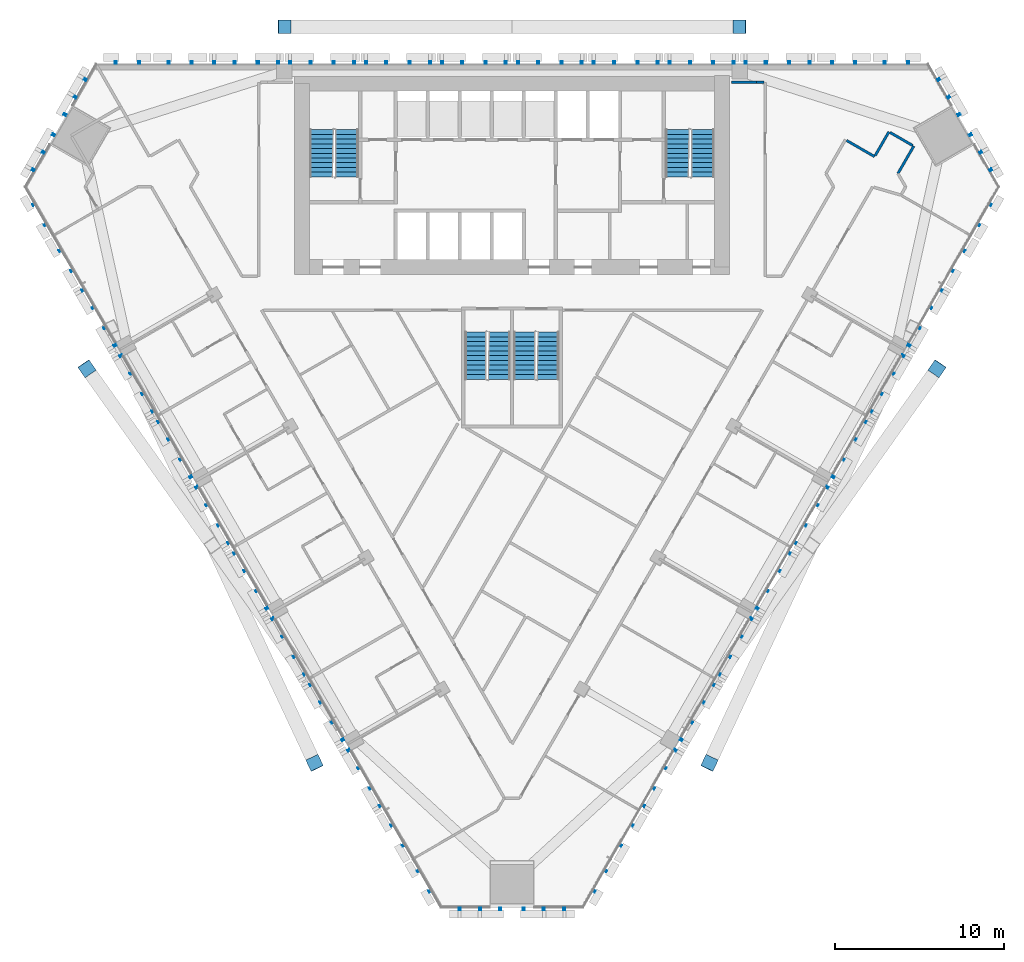
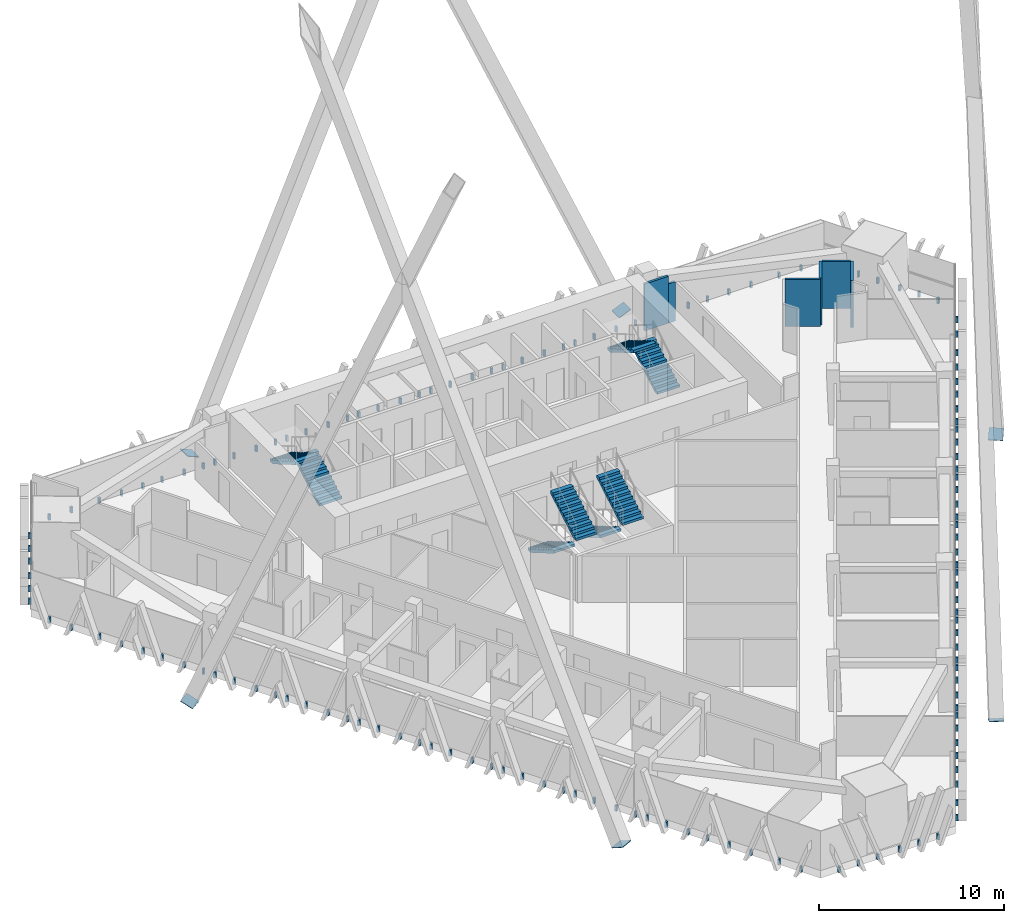
# One storey, part 20 of 23: 12 discrete accessories, 8 stair flights, 6 walls, 4 elements without a shape of their own.
"""IFC4 building model written with IfcOpenShell, lengths in metres."""

from ifc_helpers import new_model, si_unit, direction, frame, frame_2d, origin, origin_2d, place, context, subcontext, project, spatial, polyline, rectangle, outline, extrude, source, transform, mapped, material, layer, layer_set, material_profile, profile_set, type_object, element, aggregate, save


model = new_model("IFC4")

# Units and contexts
model_context = context("Model", 3, precision=1e-05, world=origin(), true_north=direction((0.0, 1.0)))
body_context = subcontext(model_context, "Body", "Model", "MODEL_VIEW")
ifc_project = project(units=[si_unit("LENGTHUNIT", "METRE"), si_unit("AREAUNIT", "SQUARE_METRE"), si_unit("VOLUMEUNIT", "CUBIC_METRE"), si_unit("PLANEANGLEUNIT", "RADIAN"), si_unit("MASSUNIT", "GRAM", prefix="KILO")], contexts=[model_context])

# Site, building, storey
site_placement = place(None, origin())
site = spatial("IfcSite", under=ifc_project, at=site_placement, CompositionType="ELEMENT")
building_placement = place(site_placement, origin())
building = spatial("IfcBuilding", under=site, at=building_placement, Name="Altiplano Prism Tower", CompositionType="ELEMENT")
storey_placement = place(building_placement, frame((0.0, 0.0, 100.800048828125)))
storey = spatial("IfcBuildingStorey", under=building, at=storey_placement, Name="L25", CompositionType="ELEMENT", Elevation=100.800048828125)

# Walls
ifc_material_1 = material(Name="Plasterboard on steel stud", Category="steel")
ifc_layer = layer(ifc_material_1, 0.14990234375)
ifc_layer_set = layer_set([ifc_layer], Name="Plasterboard on steel stud")
wall_type = type_object("IfcWallType", Name="Partition 150 corridor", PredefinedType="PARTITIONING", material=ifc_layer_set)
wall_1_placement = place(storey_placement, frame((107.881591796875, 98.5, 0.0), z_axis=(0.0, 0.0, 1.0), x_axis=(0.499951854219, 0.86605319898, 0.0)))
element("IfcWall", 1, at=wall_1_placement, inside=storey, type_object=wall_type, Name="Partition P06 L25 016", PredefinedType="PARTITIONING", context=body_context, shape_type="SweptSolid", body=[
    extrude(rectangle(XDim=1.873291015625, YDim=0.14990234375, at=frame_2d((0.9365234375, 0.0))), origin(), (0.0, 0.0, 1.0), 3.099853515625),
])
wall_2_placement = place(storey_placement, frame((108.753173828125, 100.15966796875, 0.0), z_axis=(0.0, 0.0, 1.0), x_axis=(-0.865975732936, 0.500086022567, 0.0)))
element("IfcWall", 2, at=wall_2_placement, inside=storey, type_object=wall_type, Name="Partition P06 L25 017", PredefinedType="PARTITIONING", context=body_context, shape_type="SweptSolid", body=[
    extrude(rectangle(XDim=1.550048828125, YDim=0.14990234375, at=frame_2d((0.77490234375, 0.0))), origin(), (0.0, 0.0, 1.0), 3.099853515625),
])
wall_3_placement = place(storey_placement, frame((107.345947265625, 100.97216796875, 0.0), z_axis=(0.0, 0.0, 1.0), x_axis=(-0.500017246033, -0.866015446554, 0.0)))
element("IfcWall", 3, at=wall_3_placement, inside=storey, type_object=wall_type, Name="Partition P06 L25 018", PredefinedType="PARTITIONING", context=body_context, shape_type="SweptSolid", body=[
    extrude(rectangle(XDim=1.625, YDim=0.14990234375, at=frame_2d((0.8125, 0.0))), origin(), (0.0, 0.0, 1.0), 3.099853515625),
])
wall_4_placement = place(storey_placement, frame((106.495849609375, 99.5, 0.0), z_axis=(0.0, 0.0, 1.0), x_axis=(-0.866033512162, 0.499985955615, 0.0)))
element("IfcWall", 4, at=wall_4_placement, inside=storey, type_object=wall_type, Name="Partition P06 L25 019", PredefinedType="PARTITIONING", context=body_context, shape_type="SweptSolid", body=[
    extrude(rectangle(XDim=1.9248046875, YDim=0.14990234375, at=frame_2d((0.96240234375, 0.0))), origin(), (0.0, 0.0, 1.0), 3.099853515625),
])
wall_5_placement = place(storey_placement, frame((99.925048828125, 103.89990234375, 0.0), z_axis=(0.0, 0.0, 1.0), x_axis=(-1.0, 0.0, 0.0)))
element("IfcWall", 5, at=wall_5_placement, inside=storey, type_object=wall_type, Name="Partition P06 L25 025", PredefinedType="PARTITIONING", context=body_context, shape_type="SweptSolid", body=[
    extrude(rectangle(XDim=0.431884765625, YDim=0.14990234375, at=frame_2d((0.2158203125, 0.0))), origin(), (0.0, 0.0, 1.0), 2.599853515625),
])
wall_6_placement = place(storey_placement, frame((99.4931640625, 103.89990234375, 0.0), z_axis=(0.0, 0.0, 1.0), x_axis=(-1.0, 0.0, 0.0)))
element("IfcWall", 6, at=wall_6_placement, inside=storey, type_object=wall_type, Name="Partition P06 L25 026", PredefinedType="PARTITIONING", context=body_context, shape_type="SweptSolid", body=[
    extrude(rectangle(XDim=1.4931640625, YDim=0.14990234375, at=frame_2d((0.74658203125, 0.0))), origin(), (0.0, 0.0, 1.0), 3.099853515625),
])

# Stair, stair flights
ifc_material_2 = material(Name="Concrete C40/50", Category="concrete")
stair_type_1 = type_object("IfcStairType", Name="Exit stair 1400", PredefinedType="HALF_TURN_STAIR", material=ifc_material_2)
stair_1_placement = place(storey_placement, origin())
stair_1 = element("IfcStair", 7, at=stair_1_placement, inside=storey, type_object=stair_type_1, Name="L25 Exit Stair 1", PredefinedType="HALF_TURN_STAIR")
stair_flight_type = type_object("IfcStairFlightType", Name="Stair flight concrete 150", PredefinedType="STRAIGHT", material=ifc_material_2)
stair_flight_1_placement = place(storey_placement, frame((75.199951171875, 98.300048828125, 0.0), z_axis=(0.0, 0.0, 1.0), x_axis=(0.0, 1.0, 0.0)))
stair_flight_1 = element("IfcStairFlight", 8, at=stair_flight_1_placement, type_object=stair_flight_type, Name="ST1 flight 1", NumberOfRisers=11, NumberOfTreads=10, PredefinedType="STRAIGHT", RiserHeight=0.163636364, TreadLength=0.28, context=body_context, shape_type="SweptSolid", body=[
    extrude(outline(polyline([(0.0, 0.0), (0.0, 0.16357421875), (0.280029296875, 0.16357421875), (0.280029296875, 0.327392578125), (0.56005859375, 0.327392578125), (0.56005859375, 0.490966796875), (0.840087890625, 0.490966796875), (0.840087890625, 0.654541015625), (1.1201171875, 0.654541015625), (1.1201171875, 0.818115234375), (1.39990234375, 0.818115234375), (1.39990234375, 0.98193359375), (1.679931640625, 0.98193359375), (1.679931640625, 1.1455078125), (1.9599609375, 1.1455078125), (1.9599609375, 1.30908203125), (2.239990234375, 1.30908203125), (2.239990234375, 1.47265625), (2.52001953125, 1.47265625), (2.52001953125, 1.636474609375), (2.800048828125, 1.636474609375), (2.800048828125, 1.800048828125), (2.800048828125, 1.462646484375), (0.297119140625, 0.0), (0.0, 0.0)])), frame((0.0, 0.699951171875, 0.0), z_axis=(0.0, -1.0, 0.0), x_axis=(1.0, 0.0, 0.0)), (0.0, 0.0, 1.0), 1.39990234375),
])
stair_flight_2_placement = place(storey_placement, frame((73.699951171875, 101.10009765625, 1.800048828125), z_axis=(0.0, 0.0, 1.0), x_axis=(0.0, -1.0, 0.0)))
stair_flight_2 = element("IfcStairFlight", 9, at=stair_flight_2_placement, type_object=stair_flight_type, Name="ST1 flight 2", NumberOfRisers=11, NumberOfTreads=10, PredefinedType="STRAIGHT", RiserHeight=0.163636364, TreadLength=0.28, context=body_context, shape_type="SweptSolid", body=[
    extrude(outline(polyline([(0.0, 0.0), (0.0, 0.16357421875), (0.280029296875, 0.16357421875), (0.280029296875, 0.327392578125), (0.56005859375, 0.327392578125), (0.56005859375, 0.490966796875), (0.840087890625, 0.490966796875), (0.840087890625, 0.654541015625), (1.1201171875, 0.654541015625), (1.1201171875, 0.818115234375), (1.39990234375, 0.818115234375), (1.39990234375, 0.98193359375), (1.679931640625, 0.98193359375), (1.679931640625, 1.1455078125), (1.9599609375, 1.1455078125), (1.9599609375, 1.30908203125), (2.239990234375, 1.30908203125), (2.239990234375, 1.47265625), (2.52001953125, 1.47265625), (2.52001953125, 1.636474609375), (2.800048828125, 1.636474609375), (2.800048828125, 1.800048828125), (2.800048828125, 1.462646484375), (0.297119140625, 0.0), (0.0, 0.0)])), frame((0.0, 0.699951171875, 0.0), z_axis=(0.0, -1.0, 0.0), x_axis=(1.0, 0.0, 0.0)), (0.0, 0.0, 1.0), 1.39990234375),
])
aggregate(stair_1, [stair_flight_1, stair_flight_2])

stair_2_placement = place(storey_placement, origin())
stair_2 = element("IfcStair", 10, at=stair_2_placement, inside=storey, type_object=stair_type_1, Name="L25 Exit Stair 2", PredefinedType="HALF_TURN_STAIR")
stair_flight_3_placement = place(storey_placement, frame((96.300048828125, 98.300048828125, 0.0), z_axis=(0.0, 0.0, 1.0), x_axis=(0.0, 1.0, 0.0)))
stair_flight_3 = element("IfcStairFlight", 11, at=stair_flight_3_placement, type_object=stair_flight_type, Name="ST2 flight 1", NumberOfRisers=11, NumberOfTreads=10, PredefinedType="STRAIGHT", RiserHeight=0.163636364, TreadLength=0.28, context=body_context, shape_type="SweptSolid", body=[
    extrude(outline(polyline([(0.0, 0.0), (0.0, 0.16357421875), (0.280029296875, 0.16357421875), (0.280029296875, 0.327392578125), (0.56005859375, 0.327392578125), (0.56005859375, 0.490966796875), (0.840087890625, 0.490966796875), (0.840087890625, 0.654541015625), (1.1201171875, 0.654541015625), (1.1201171875, 0.818115234375), (1.39990234375, 0.818115234375), (1.39990234375, 0.98193359375), (1.679931640625, 0.98193359375), (1.679931640625, 1.1455078125), (1.9599609375, 1.1455078125), (1.9599609375, 1.30908203125), (2.239990234375, 1.30908203125), (2.239990234375, 1.47265625), (2.52001953125, 1.47265625), (2.52001953125, 1.636474609375), (2.800048828125, 1.636474609375), (2.800048828125, 1.800048828125), (2.800048828125, 1.462646484375), (0.297119140625, 0.0), (0.0, 0.0)])), frame((0.0, 0.699951171875, 0.0), z_axis=(0.0, -1.0, 0.0), x_axis=(1.0, 0.0, 0.0)), (0.0, 0.0, 1.0), 1.39990234375),
])
stair_flight_4_placement = place(storey_placement, frame((94.800048828125, 101.10009765625, 1.800048828125), z_axis=(0.0, 0.0, 1.0), x_axis=(0.0, -1.0, 0.0)))
stair_flight_4 = element("IfcStairFlight", 12, at=stair_flight_4_placement, type_object=stair_flight_type, Name="ST2 flight 2", NumberOfRisers=11, NumberOfTreads=10, PredefinedType="STRAIGHT", RiserHeight=0.163636364, TreadLength=0.28, context=body_context, shape_type="SweptSolid", body=[
    extrude(outline(polyline([(0.0, 0.0), (0.0, 0.16357421875), (0.280029296875, 0.16357421875), (0.280029296875, 0.327392578125), (0.56005859375, 0.327392578125), (0.56005859375, 0.490966796875), (0.840087890625, 0.490966796875), (0.840087890625, 0.654541015625), (1.1201171875, 0.654541015625), (1.1201171875, 0.818115234375), (1.39990234375, 0.818115234375), (1.39990234375, 0.98193359375), (1.679931640625, 0.98193359375), (1.679931640625, 1.1455078125), (1.9599609375, 1.1455078125), (1.9599609375, 1.30908203125), (2.239990234375, 1.30908203125), (2.239990234375, 1.47265625), (2.52001953125, 1.47265625), (2.52001953125, 1.636474609375), (2.800048828125, 1.636474609375), (2.800048828125, 1.800048828125), (2.800048828125, 1.462646484375), (0.297119140625, 0.0), (0.0, 0.0)])), frame((0.0, 0.699951171875, 0.0), z_axis=(0.0, -1.0, 0.0), x_axis=(1.0, 0.0, 0.0)), (0.0, 0.0, 1.0), 1.39990234375),
])
aggregate(stair_2, [stair_flight_3, stair_flight_4])

stair_type_2 = type_object("IfcStairType", Name="Exit stair 1300", PredefinedType="HALF_TURN_STAIR", material=ifc_material_2)
stair_3_placement = place(storey_placement, origin())
stair_3 = element("IfcStair", 13, at=stair_3_placement, inside=storey, type_object=stair_type_2, Name="L25 Exit Stair 3A", PredefinedType="HALF_TURN_STAIR")
stair_flight_5_placement = place(storey_placement, frame((82.85009765625, 89.10009765625, 0.0), z_axis=(0.0, 0.0, 1.0), x_axis=(0.0, -1.0, 0.0)))
stair_flight_5 = element("IfcStairFlight", 14, at=stair_flight_5_placement, type_object=stair_flight_type, Name="ST3A flight 1", NumberOfRisers=11, NumberOfTreads=10, PredefinedType="STRAIGHT", RiserHeight=0.163636364, TreadLength=0.28, context=body_context, shape_type="SweptSolid", body=[
    extrude(outline(polyline([(0.0, 0.0), (0.0, 0.16357421875), (0.280029296875, 0.16357421875), (0.280029296875, 0.327392578125), (0.56005859375, 0.327392578125), (0.56005859375, 0.490966796875), (0.840087890625, 0.490966796875), (0.840087890625, 0.654541015625), (1.1201171875, 0.654541015625), (1.1201171875, 0.818115234375), (1.39990234375, 0.818115234375), (1.39990234375, 0.98193359375), (1.679931640625, 0.98193359375), (1.679931640625, 1.1455078125), (1.9599609375, 1.1455078125), (1.9599609375, 1.30908203125), (2.239990234375, 1.30908203125), (2.239990234375, 1.47265625), (2.52001953125, 1.47265625), (2.52001953125, 1.636474609375), (2.800048828125, 1.636474609375), (2.800048828125, 1.800048828125), (2.800048828125, 1.462646484375), (0.297119140625, 0.0), (0.0, 0.0)])), frame((0.0, 0.64990234375, 0.0), z_axis=(0.0, -1.0, 0.0), x_axis=(1.0, 0.0, 0.0)), (0.0, 0.0, 1.0), 1.300048828125),
])
stair_flight_6_placement = place(storey_placement, frame((84.25, 86.300048828125, 1.800048828125), z_axis=(0.0, 0.0, 1.0), x_axis=(0.0, 1.0, 0.0)))
stair_flight_6 = element("IfcStairFlight", 15, at=stair_flight_6_placement, type_object=stair_flight_type, Name="ST3A flight 2", NumberOfRisers=11, NumberOfTreads=10, PredefinedType="STRAIGHT", RiserHeight=0.163636364, TreadLength=0.28, context=body_context, shape_type="SweptSolid", body=[
    extrude(outline(polyline([(0.0, 0.0), (0.0, 0.16357421875), (0.280029296875, 0.16357421875), (0.280029296875, 0.327392578125), (0.56005859375, 0.327392578125), (0.56005859375, 0.490966796875), (0.840087890625, 0.490966796875), (0.840087890625, 0.654541015625), (1.1201171875, 0.654541015625), (1.1201171875, 0.818115234375), (1.39990234375, 0.818115234375), (1.39990234375, 0.98193359375), (1.679931640625, 0.98193359375), (1.679931640625, 1.1455078125), (1.9599609375, 1.1455078125), (1.9599609375, 1.30908203125), (2.239990234375, 1.30908203125), (2.239990234375, 1.47265625), (2.52001953125, 1.47265625), (2.52001953125, 1.636474609375), (2.800048828125, 1.636474609375), (2.800048828125, 1.800048828125), (2.800048828125, 1.462646484375), (0.297119140625, 0.0), (0.0, 0.0)])), frame((0.0, 0.64990234375, 0.0), z_axis=(0.0, -1.0, 0.0), x_axis=(1.0, 0.0, 0.0)), (0.0, 0.0, 1.0), 1.300048828125),
])
aggregate(stair_3, [stair_flight_5, stair_flight_6])

stair_4_placement = place(storey_placement, origin())
stair_4 = element("IfcStair", 16, at=stair_4_placement, inside=storey, type_object=stair_type_2, Name="L25 Exit Stair 3B", PredefinedType="HALF_TURN_STAIR")
stair_flight_7_placement = place(storey_placement, frame((85.75, 89.10009765625, 0.0), z_axis=(0.0, 0.0, 1.0), x_axis=(0.0, -1.0, 0.0)))
stair_flight_7 = element("IfcStairFlight", 17, at=stair_flight_7_placement, type_object=stair_flight_type, Name="ST3B flight 1", NumberOfRisers=11, NumberOfTreads=10, PredefinedType="STRAIGHT", RiserHeight=0.163636364, TreadLength=0.28, context=body_context, shape_type="SweptSolid", body=[
    extrude(outline(polyline([(0.0, 0.0), (0.0, 0.16357421875), (0.280029296875, 0.16357421875), (0.280029296875, 0.327392578125), (0.56005859375, 0.327392578125), (0.56005859375, 0.490966796875), (0.840087890625, 0.490966796875), (0.840087890625, 0.654541015625), (1.1201171875, 0.654541015625), (1.1201171875, 0.818115234375), (1.39990234375, 0.818115234375), (1.39990234375, 0.98193359375), (1.679931640625, 0.98193359375), (1.679931640625, 1.1455078125), (1.9599609375, 1.1455078125), (1.9599609375, 1.30908203125), (2.239990234375, 1.30908203125), (2.239990234375, 1.47265625), (2.52001953125, 1.47265625), (2.52001953125, 1.636474609375), (2.800048828125, 1.636474609375), (2.800048828125, 1.800048828125), (2.800048828125, 1.462646484375), (0.297119140625, 0.0), (0.0, 0.0)])), frame((0.0, 0.64990234375, 0.0), z_axis=(0.0, -1.0, 0.0), x_axis=(1.0, 0.0, 0.0)), (0.0, 0.0, 1.0), 1.300048828125),
])
stair_flight_8_placement = place(storey_placement, frame((87.14990234375, 86.300048828125, 1.800048828125), z_axis=(0.0, 0.0, 1.0), x_axis=(0.0, 1.0, 0.0)))
stair_flight_8 = element("IfcStairFlight", 18, at=stair_flight_8_placement, type_object=stair_flight_type, Name="ST3B flight 2", NumberOfRisers=11, NumberOfTreads=10, PredefinedType="STRAIGHT", RiserHeight=0.163636364, TreadLength=0.28, context=body_context, shape_type="SweptSolid", body=[
    extrude(outline(polyline([(0.0, 0.0), (0.0, 0.16357421875), (0.280029296875, 0.16357421875), (0.280029296875, 0.327392578125), (0.56005859375, 0.327392578125), (0.56005859375, 0.490966796875), (0.840087890625, 0.490966796875), (0.840087890625, 0.654541015625), (1.1201171875, 0.654541015625), (1.1201171875, 0.818115234375), (1.39990234375, 0.818115234375), (1.39990234375, 0.98193359375), (1.679931640625, 0.98193359375), (1.679931640625, 1.1455078125), (1.9599609375, 1.1455078125), (1.9599609375, 1.30908203125), (2.239990234375, 1.30908203125), (2.239990234375, 1.47265625), (2.52001953125, 1.47265625), (2.52001953125, 1.636474609375), (2.800048828125, 1.636474609375), (2.800048828125, 1.800048828125), (2.800048828125, 1.462646484375), (0.297119140625, 0.0), (0.0, 0.0)])), frame((0.0, 0.64990234375, 0.0), z_axis=(0.0, -1.0, 0.0), x_axis=(1.0, 0.0, 0.0)), (0.0, 0.0, 1.0), 1.300048828125),
])
aggregate(stair_4, [stair_flight_7, stair_flight_8])

# Discrete accessories
ifc_material_3 = material(Name="Steel S355", Category="steel")
ifc_material_profile = material_profile(ifc_material_3, rectangle(XDim=0.800048828125, YDim=0.800048828125, at=origin_2d()), Name="Brace end plate 800x800x40")
ifc_profile_set = profile_set([ifc_material_profile], Name="Steel S355")
discrete_accessory_type_1 = type_object("IfcDiscreteAccessoryType", Name="Brace end plate 800x800x40", PredefinedType="ANCHORPLATE", material=ifc_profile_set)
for number, where, z_axis, x_axis, name in (
    (19, (98.5, 107.199951171875, -0.85009765625), (-0.390236647958, 0.0, 0.920714591277), (0.0, -1.0, 0.0), "Brace end plate Mega brace 3.0.1 end 1"),
    (20, (71.5, 107.199951171875, -0.85009765625), (0.390236647958, 0.0, 0.920714591277), (0.0, 1.0, 0.0), "Brace end plate Mega brace 3.0.3 end 1"),
    (21, (59.798095703125, 86.931640625, -0.85009765625), (0.213279870142, -0.31077923935, 0.926244007474), (0.824513352644, 0.565842496912, 0.0), "Brace end plate Mega brace 3.1.1 end 1"),
    (22, (73.298095703125, 63.548828125, -0.85009765625), (-0.177268104489, 0.372874288753, 0.910791295478), (-0.903134004592, -0.429358789068, 0.0), "Brace end plate Mega brace 3.1.3 end 1"),
    (23, (96.701904296875, 63.548828125, -0.85009765625), (0.177268104489, 0.372874288753, 0.910791295478), (-0.903134004592, 0.429358789068, 0.0), "Brace end plate Mega brace 3.2.1 end 1"),
    (24, (110.201904296875, 86.931640625, -0.85009765625), (-0.213279870142, -0.31077923935, 0.926244007474), (0.824513352644, -0.565842496912, 0.0), "Brace end plate Mega brace 3.2.3 end 1"),
):
    element("IfcDiscreteAccessory", number, at=place(storey_placement, frame(where, z_axis=z_axis, x_axis=x_axis)), inside=storey, type_object=discrete_accessory_type_1, Name=name, PredefinedType="ANCHORPLATE", context=body_context, shape_type="SweptSolid", body=[
        extrude(rectangle(XDim=0.800048828125, YDim=0.800048828125, at=origin_2d()), origin(), (0.0, 0.0, 1.0), 0.0400390625),
    ])
ifc_material_4 = material(Name="Stainless steel", Category="steel")
discrete_accessory_type_2 = type_object("IfcDiscreteAccessoryType", Name="Stone fin fixing prongs", PredefinedType="USERDEFINED", material=ifc_material_4)
shared_shape_1 = source(origin(), body_context, "Body", "SweptSolid", [
    extrude(outline(polyline([(-0.7509765625, 0.06005859375), (-0.631103515625, 0.06005859375), (-0.631103515625, 0.43994140625), (-0.7509765625, 0.43994140625), (-0.7509765625, 0.06005859375)])), frame((0.0, 0.0, 0.0), z_axis=(0.0, -1.0, 0.0), x_axis=(1.0, 0.0, 0.0)), (0.0, 0.0, 1.0), 0.14990234375),
    extrude(outline(polyline([(0.631103515625, 0.06005859375), (0.7509765625, 0.06005859375), (0.7509765625, 0.43994140625), (0.631103515625, 0.43994140625), (0.631103515625, 0.06005859375)])), frame((0.0, 0.0, 0.0), z_axis=(0.0, -1.0, 0.0), x_axis=(1.0, 0.0, 0.0)), (0.0, 0.0, 1.0), 0.14990234375),
])
shared_shape_2 = source(origin(), body_context, "Body", "SweptSolid", [
    extrude(outline(polyline([(-0.7509765625, 0.06005859375), (-0.631103515625, 0.06005859375), (-0.631103515625, 0.43994140625), (-0.7509765625, 0.43994140625), (-0.7509765625, 0.06005859375)])), frame((0.0, 0.0, 0.0), z_axis=(0.0, -1.0, 0.0), x_axis=(1.0, 0.0, 0.0)), (0.0, 0.0, 1.0), 0.14990234375),
    extrude(outline(polyline([(0.631103515625, 0.06005859375), (0.7509765625, 0.06005859375), (0.7509765625, 0.43994140625), (0.631103515625, 0.43994140625), (0.631103515625, 0.06005859375)])), frame((0.0, 0.0, 0.0), z_axis=(0.0, -1.0, 0.0), x_axis=(1.0, 0.0, 0.0)), (0.0, 0.0, 1.0), 0.14990234375),
])
shared_shape_3 = source(origin(), body_context, "Body", "SweptSolid", [
    extrude(outline(polyline([(-1.950927734375, 0.06005859375), (-1.8310546875, 0.06005859375), (-1.8310546875, 0.43994140625), (-1.950927734375, 0.43994140625), (-1.950927734375, 0.06005859375)])), frame((0.0, 0.0, 0.0), z_axis=(0.0, -1.0, 0.0), x_axis=(1.0, 0.0, 0.0)), (0.0, 0.0, 1.0), 0.14990234375),
    extrude(outline(polyline([(-0.7509765625, 0.06005859375), (-0.631103515625, 0.06005859375), (-0.631103515625, 0.43994140625), (-0.7509765625, 0.43994140625), (-0.7509765625, 0.06005859375)])), frame((0.0, 0.0, 0.0), z_axis=(0.0, -1.0, 0.0), x_axis=(1.0, 0.0, 0.0)), (0.0, 0.0, 1.0), 0.14990234375),
    extrude(outline(polyline([(0.631103515625, 0.06005859375), (0.7509765625, 0.06005859375), (0.7509765625, 0.43994140625), (0.631103515625, 0.43994140625), (0.631103515625, 0.06005859375)])), frame((0.0, 0.0, 0.0), z_axis=(0.0, -1.0, 0.0), x_axis=(1.0, 0.0, 0.0)), (0.0, 0.0, 1.0), 0.14990234375),
    extrude(outline(polyline([(1.8310546875, 0.06005859375), (1.950927734375, 0.06005859375), (1.950927734375, 0.43994140625), (1.8310546875, 0.43994140625), (1.8310546875, 0.06005859375)])), frame((0.0, 0.0, 0.0), z_axis=(0.0, -1.0, 0.0), x_axis=(1.0, 0.0, 0.0)), (0.0, 0.0, 1.0), 0.14990234375),
])
discrete_accessory_1_placement = place(storey_placement, origin())
element("IfcDiscreteAccessory", 25, at=discrete_accessory_1_placement, inside=storey, type_object=discrete_accessory_type_2, Name="Fin fixings L25 north face", ObjectType="BRACKET", PredefinedType="USERDEFINED", context=body_context, shape_type="MappedRepresentation", body=[
    mapped(shared_shape_1, transform((107.803466796875, 105.0, -0.5), x_axis=(-1.0, 0.0, 0.0), y_axis=(0.0, -1.0, 0.0), z_axis=(0.0, 0.0, 1.0))),
    mapped(shared_shape_2, transform((104.667724609375, 105.0, -0.5), x_axis=(-1.0, 0.0, 0.0), y_axis=(0.0, -1.0, 0.0), z_axis=(0.0, 0.0, 1.0))),
    mapped(shared_shape_3, transform((100.75, 105.0, -0.5), x_axis=(-1.0, 0.0, 0.0), y_axis=(0.0, -1.0, 0.0), z_axis=(0.0, 0.0, 1.0))),
    mapped(shared_shape_3, transform((96.25, 105.0, -0.5), x_axis=(-1.0, 0.0, 0.0), y_axis=(0.0, -1.0, 0.0), z_axis=(0.0, 0.0, 1.0))),
    mapped(shared_shape_3, transform((91.75, 105.0, -0.5), x_axis=(-1.0, 0.0, 0.0), y_axis=(0.0, -1.0, 0.0), z_axis=(0.0, 0.0, 1.0))),
    mapped(shared_shape_3, transform((87.25, 105.0, -0.5), x_axis=(-1.0, 0.0, 0.0), y_axis=(0.0, -1.0, 0.0), z_axis=(0.0, 0.0, 1.0))),
    mapped(shared_shape_3, transform((82.75, 105.0, -0.5), x_axis=(-1.0, 0.0, 0.0), y_axis=(0.0, -1.0, 0.0), z_axis=(0.0, 0.0, 1.0))),
    mapped(shared_shape_3, transform((78.25, 105.0, -0.5), x_axis=(-1.0, 0.0, 0.0), y_axis=(0.0, -1.0, 0.0), z_axis=(0.0, 0.0, 1.0))),
    mapped(shared_shape_3, transform((73.75, 105.0, -0.5), x_axis=(-1.0, 0.0, 0.0), y_axis=(0.0, -1.0, 0.0), z_axis=(0.0, 0.0, 1.0))),
    mapped(shared_shape_3, transform((69.25, 105.0, -0.5), x_axis=(-1.0, 0.0, 0.0), y_axis=(0.0, -1.0, 0.0), z_axis=(0.0, 0.0, 1.0))),
    mapped(shared_shape_2, transform((65.332275390625, 105.0, -0.5), x_axis=(-1.0, 0.0, 0.0), y_axis=(0.0, -1.0, 0.0), z_axis=(0.0, 0.0, 1.0))),
    mapped(shared_shape_1, transform((62.196533203125, 105.0, -0.5), x_axis=(-1.0, 0.0, 0.0), y_axis=(0.0, -1.0, 0.0), z_axis=(0.0, 0.0, 1.0))),
])
discrete_accessory_2_placement = place(storey_placement, origin())
element("IfcDiscreteAccessory", 26, at=discrete_accessory_2_placement, inside=storey, type_object=discrete_accessory_type_2, Name="Fin fixings L25 south-west face", ObjectType="BRACKET", PredefinedType="USERDEFINED", context=body_context, shape_type="MappedRepresentation", body=[
    mapped(shared_shape_1, transform((57.051513671875, 96.088623046875, -0.5), x_axis=(0.50000000184, -0.866025402722, 0.0), y_axis=(0.866025402722, 0.50000000184, 0.0), z_axis=(0.0, 0.0, 1.0))),
    mapped(shared_shape_2, transform((58.619384765625, 93.373046875, -0.5), x_axis=(0.50000000184, -0.866025402722, 0.0), y_axis=(0.866025402722, 0.50000000184, 0.0), z_axis=(0.0, 0.0, 1.0))),
    mapped(shared_shape_3, transform((60.578369140625, 89.97998046875, -0.5), x_axis=(0.50000000184, -0.866025402722, 0.0), y_axis=(0.866025402722, 0.50000000184, 0.0), z_axis=(0.0, 0.0, 1.0))),
    mapped(shared_shape_3, transform((62.828369140625, 86.0830078125, -0.5), x_axis=(0.50000000184, -0.866025402722, 0.0), y_axis=(0.866025402722, 0.50000000184, 0.0), z_axis=(0.0, 0.0, 1.0))),
    mapped(shared_shape_3, transform((65.078369140625, 82.185791015625, -0.5), x_axis=(0.50000000184, -0.866025402722, 0.0), y_axis=(0.866025402722, 0.50000000184, 0.0), z_axis=(0.0, 0.0, 1.0))),
    mapped(shared_shape_3, transform((67.328369140625, 78.288818359375, -0.5), x_axis=(0.50000000184, -0.866025402722, 0.0), y_axis=(0.866025402722, 0.50000000184, 0.0), z_axis=(0.0, 0.0, 1.0))),
    mapped(shared_shape_3, transform((69.578369140625, 74.3916015625, -0.5), x_axis=(0.50000000184, -0.866025402722, 0.0), y_axis=(0.866025402722, 0.50000000184, 0.0), z_axis=(0.0, 0.0, 1.0))),
    mapped(shared_shape_3, transform((71.828369140625, 70.49462890625, -0.5), x_axis=(0.50000000184, -0.866025402722, 0.0), y_axis=(0.866025402722, 0.50000000184, 0.0), z_axis=(0.0, 0.0, 1.0))),
    mapped(shared_shape_3, transform((74.078369140625, 66.597412109375, -0.5), x_axis=(0.50000000184, -0.866025402722, 0.0), y_axis=(0.866025402722, 0.50000000184, 0.0), z_axis=(0.0, 0.0, 1.0))),
    mapped(shared_shape_3, transform((76.328369140625, 62.7001953125, -0.5), x_axis=(0.50000000184, -0.866025402722, 0.0), y_axis=(0.866025402722, 0.50000000184, 0.0), z_axis=(0.0, 0.0, 1.0))),
    mapped(shared_shape_2, transform((78.287109375, 59.307373046875, -0.5), x_axis=(0.50000000184, -0.866025402722, 0.0), y_axis=(0.866025402722, 0.50000000184, 0.0), z_axis=(0.0, 0.0, 1.0))),
    mapped(shared_shape_1, transform((79.85498046875, 56.591796875, -0.5), x_axis=(0.50000000184, -0.866025402722, 0.0), y_axis=(0.866025402722, 0.50000000184, 0.0), z_axis=(0.0, 0.0, 1.0))),
])
discrete_accessory_3_placement = place(storey_placement, origin())
element("IfcDiscreteAccessory", 27, at=discrete_accessory_3_placement, inside=storey, type_object=discrete_accessory_type_2, Name="Fin fixings L25 south-east face", ObjectType="BRACKET", PredefinedType="USERDEFINED", context=body_context, shape_type="MappedRepresentation", body=[
    mapped(shared_shape_1, transform((90.14501953125, 56.591796875, -0.5), x_axis=(0.50000000184, 0.866025402722, 0.0), y_axis=(-0.866025402722, 0.50000000184, 0.0), z_axis=(0.0, 0.0, 1.0))),
    mapped(shared_shape_2, transform((91.712890625, 59.307373046875, -0.5), x_axis=(0.50000000184, 0.866025402722, 0.0), y_axis=(-0.866025402722, 0.50000000184, 0.0), z_axis=(0.0, 0.0, 1.0))),
    mapped(shared_shape_3, transform((93.671630859375, 62.7001953125, -0.5), x_axis=(0.50000000184, 0.866025402722, 0.0), y_axis=(-0.866025402722, 0.50000000184, 0.0), z_axis=(0.0, 0.0, 1.0))),
    mapped(shared_shape_3, transform((95.921630859375, 66.597412109375, -0.5), x_axis=(0.50000000184, 0.866025402722, 0.0), y_axis=(-0.866025402722, 0.50000000184, 0.0), z_axis=(0.0, 0.0, 1.0))),
    mapped(shared_shape_3, transform((98.171630859375, 70.49462890625, -0.5), x_axis=(0.50000000184, 0.866025402722, 0.0), y_axis=(-0.866025402722, 0.50000000184, 0.0), z_axis=(0.0, 0.0, 1.0))),
    mapped(shared_shape_3, transform((100.421630859375, 74.3916015625, -0.5), x_axis=(0.50000000184, 0.866025402722, 0.0), y_axis=(-0.866025402722, 0.50000000184, 0.0), z_axis=(0.0, 0.0, 1.0))),
    mapped(shared_shape_3, transform((102.671630859375, 78.288818359375, -0.5), x_axis=(0.50000000184, 0.866025402722, 0.0), y_axis=(-0.866025402722, 0.50000000184, 0.0), z_axis=(0.0, 0.0, 1.0))),
    mapped(shared_shape_3, transform((104.921630859375, 82.185791015625, -0.5), x_axis=(0.50000000184, 0.866025402722, 0.0), y_axis=(-0.866025402722, 0.50000000184, 0.0), z_axis=(0.0, 0.0, 1.0))),
    mapped(shared_shape_3, transform((107.171630859375, 86.0830078125, -0.5), x_axis=(0.50000000184, 0.866025402722, 0.0), y_axis=(-0.866025402722, 0.50000000184, 0.0), z_axis=(0.0, 0.0, 1.0))),
    mapped(shared_shape_3, transform((109.421630859375, 89.97998046875, -0.5), x_axis=(0.50000000184, 0.866025402722, 0.0), y_axis=(-0.866025402722, 0.50000000184, 0.0), z_axis=(0.0, 0.0, 1.0))),
    mapped(shared_shape_2, transform((111.380615234375, 93.373046875, -0.5), x_axis=(0.50000000184, 0.866025402722, 0.0), y_axis=(-0.866025402722, 0.50000000184, 0.0), z_axis=(0.0, 0.0, 1.0))),
    mapped(shared_shape_1, transform((112.948486328125, 96.088623046875, -0.5), x_axis=(0.50000000184, 0.866025402722, 0.0), y_axis=(-0.866025402722, 0.50000000184, 0.0), z_axis=(0.0, 0.0, 1.0))),
])
shared_shape_4 = source(origin(), body_context, "Body", "SweptSolid", [
    extrude(outline(polyline([(-3.15087890625, 0.06005859375), (-3.031005859375, 0.06005859375), (-3.031005859375, 0.43994140625), (-3.15087890625, 0.43994140625), (-3.15087890625, 0.06005859375)])), frame((0.0, 0.0, 0.0), z_axis=(0.0, -1.0, 0.0), x_axis=(1.0, 0.0, 0.0)), (0.0, 0.0, 1.0), 0.14990234375),
    extrude(outline(polyline([(-1.950927734375, 0.06005859375), (-1.8310546875, 0.06005859375), (-1.8310546875, 0.43994140625), (-1.950927734375, 0.43994140625), (-1.950927734375, 0.06005859375)])), frame((0.0, 0.0, 0.0), z_axis=(0.0, -1.0, 0.0), x_axis=(1.0, 0.0, 0.0)), (0.0, 0.0, 1.0), 0.14990234375),
    extrude(outline(polyline([(-0.7509765625, 0.06005859375), (-0.631103515625, 0.06005859375), (-0.631103515625, 0.43994140625), (-0.7509765625, 0.43994140625), (-0.7509765625, 0.06005859375)])), frame((0.0, 0.0, 0.0), z_axis=(0.0, -1.0, 0.0), x_axis=(1.0, 0.0, 0.0)), (0.0, 0.0, 1.0), 0.14990234375),
    extrude(outline(polyline([(0.631103515625, 0.06005859375), (0.7509765625, 0.06005859375), (0.7509765625, 0.43994140625), (0.631103515625, 0.43994140625), (0.631103515625, 0.06005859375)])), frame((0.0, 0.0, 0.0), z_axis=(0.0, -1.0, 0.0), x_axis=(1.0, 0.0, 0.0)), (0.0, 0.0, 1.0), 0.14990234375),
    extrude(outline(polyline([(1.8310546875, 0.06005859375), (1.950927734375, 0.06005859375), (1.950927734375, 0.43994140625), (1.8310546875, 0.43994140625), (1.8310546875, 0.06005859375)])), frame((0.0, 0.0, 0.0), z_axis=(0.0, -1.0, 0.0), x_axis=(1.0, 0.0, 0.0)), (0.0, 0.0, 1.0), 0.14990234375),
    extrude(outline(polyline([(3.031005859375, 0.06005859375), (3.15087890625, 0.06005859375), (3.15087890625, 0.43994140625), (3.031005859375, 0.43994140625), (3.031005859375, 0.06005859375)])), frame((0.0, 0.0, 0.0), z_axis=(0.0, -1.0, 0.0), x_axis=(1.0, 0.0, 0.0)), (0.0, 0.0, 1.0), 0.14990234375),
])
discrete_accessory_4_placement = place(storey_placement, origin())
element("IfcDiscreteAccessory", 28, at=discrete_accessory_4_placement, inside=storey, type_object=discrete_accessory_type_2, Name="Fin fixings L25 north-west chamfer", ObjectType="BRACKET", PredefinedType="USERDEFINED", context=body_context, shape_type="MappedRepresentation", body=[
    mapped(shared_shape_4, transform((58.22314453125, 101.35302734375, -0.5), x_axis=(-0.500000034817, -0.866025383683, 0.0), y_axis=(0.866025383683, -0.500000034817, 0.0), z_axis=(0.0, 0.0, 1.0))),
])
discrete_accessory_5_placement = place(storey_placement, origin())
element("IfcDiscreteAccessory", 29, at=discrete_accessory_5_placement, inside=storey, type_object=discrete_accessory_type_2, Name="Fin fixings L25 south chamfer", ObjectType="BRACKET", PredefinedType="USERDEFINED", context=body_context, shape_type="MappedRepresentation", body=[
    mapped(shared_shape_4, transform((85.0, 54.97412109375, -0.5), x_axis=(1.0, 0.0, 0.0), y_axis=(0.0, 1.0, 0.0), z_axis=(0.0, 0.0, 1.0))),
])
discrete_accessory_6_placement = place(storey_placement, origin())
element("IfcDiscreteAccessory", 30, at=discrete_accessory_6_placement, inside=storey, type_object=discrete_accessory_type_2, Name="Fin fixings L25 north-east chamfer", ObjectType="BRACKET", PredefinedType="USERDEFINED", context=body_context, shape_type="MappedRepresentation", body=[
    mapped(shared_shape_4, transform((111.77685546875, 101.35302734375, -0.5), x_axis=(-0.500000034817, 0.866025383683, 0.0), y_axis=(-0.866025383683, -0.500000034817, 0.0), z_axis=(0.0, 0.0, 1.0))),
])

save(model, "model.ifc")
